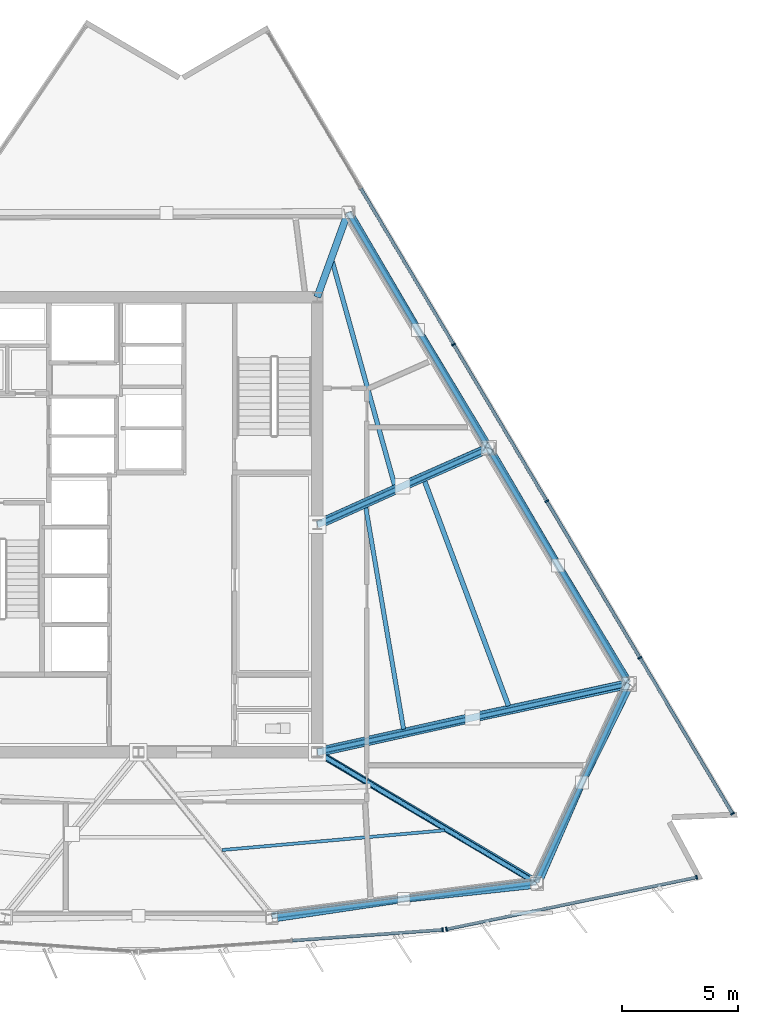
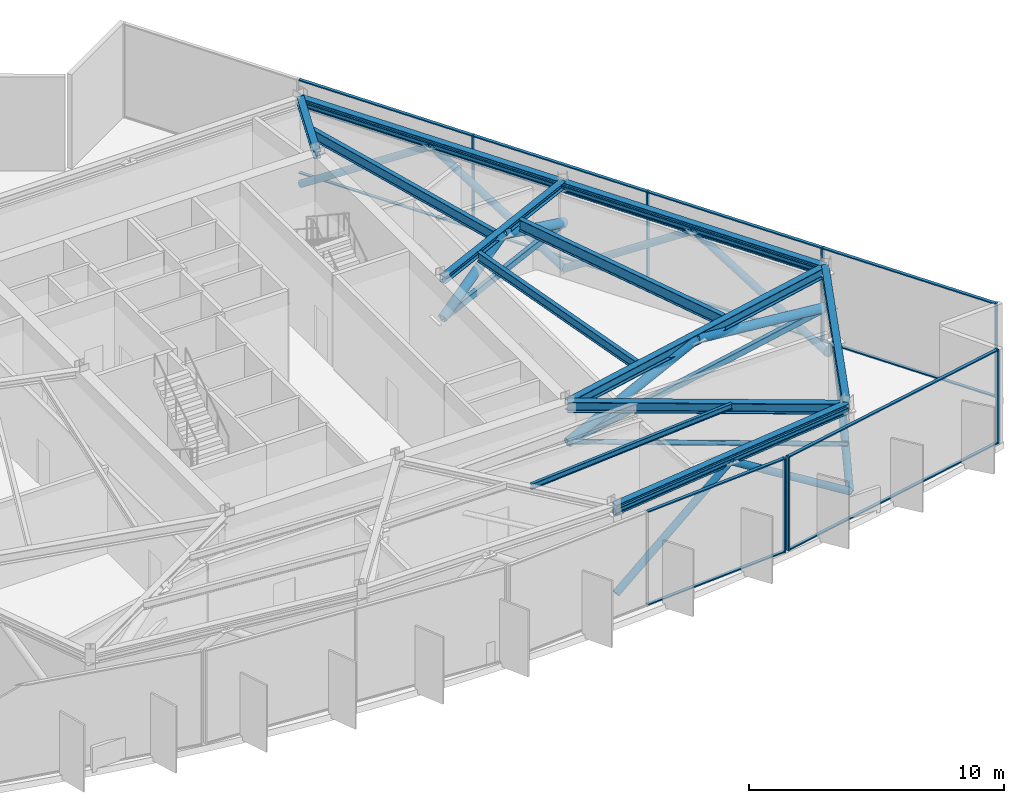
# One storey, part 5 of 14: 38 members, 12 beams, 3 elements without a shape of their own.
"""IFC4 building model written with IfcOpenShell, lengths in metres."""

from ifc_helpers import new_model, si_unit, direction, frame, origin, origin_2d, place, context, subcontext, project, spatial, rectangle, hollow_rectangle, hollow_circle, i_section, extrude, material, material_profile, profile_set, type_object, element, aggregate, save


model = new_model("IFC4")

# Units and contexts
model_context = context("Model", 3, precision=1e-05, world=origin(), true_north=direction((0.0, 1.0)))
body_context = subcontext(model_context, "Body", "Model", "MODEL_VIEW")
ifc_project = project(units=[si_unit("LENGTHUNIT", "METRE"), si_unit("AREAUNIT", "SQUARE_METRE"), si_unit("VOLUMEUNIT", "CUBIC_METRE"), si_unit("PLANEANGLEUNIT", "RADIAN"), si_unit("MASSUNIT", "GRAM", prefix="KILO")], contexts=[model_context])

# Site, building, storey
site_placement = place(None, origin())
site = spatial("IfcSite", under=ifc_project, at=site_placement, CompositionType="ELEMENT")
building_placement = place(site_placement, origin())
building = spatial("IfcBuilding", under=site, at=building_placement, Name="Savorim Split Tower", CompositionType="ELEMENT")
storey_placement = place(building_placement, frame((0.0, 0.0, 185.39990234375)))
storey = spatial("IfcBuildingStorey", under=building, at=storey_placement, Name="L49", CompositionType="ELEMENT", Elevation=185.39990234375)

# Beams
ifc_material_1 = material(Name="Steel S355", Category="steel")
ifc_material_profile_1 = material_profile(ifc_material_1, i_section(OverallWidth=0.135009765625, OverallDepth=0.27001953125, WebThickness=0.006591796875, FlangeThickness=0.01025390625, FilletRadius=0.014892578125, at=origin_2d()), Name="IPE 270")
ifc_profile_set_1 = profile_set([ifc_material_profile_1], Name="Steel S355")
beam_type_1 = type_object("IfcBeamType", Name="BM-JST-IPE270", PredefinedType="JOIST", material=ifc_profile_set_1)
beam_1_placement = place(storey_placement, frame((3.601318359375, -13.61083984375, 4.364990234375), z_axis=(0.996108988912, 0.088129916655, 0.0), x_axis=(-0.088129916655, 0.996108988912, 0.0)))
element("IfcBeam", 1, at=beam_1_placement, inside=storey, type_object=beam_type_1, Name="L49 Secondary Floor Joist JS-04", PredefinedType="JOIST", context=body_context, shape_type="SweptSolid", body=[
    extrude(i_section(OverallWidth=0.135009765625, OverallDepth=0.27001953125, WebThickness=0.006591796875, FlangeThickness=0.01025390625, FilletRadius=0.014892578125, at=origin_2d()), origin(), (0.0, 0.0, 1.0), 9.62646484375),
])
ifc_material_profile_2 = material_profile(ifc_material_1, i_section(OverallWidth=0.18994140625, OverallDepth=0.449951171875, WebThickness=0.009521484375, FlangeThickness=0.0146484375, FilletRadius=0.02099609375, at=origin_2d()), Name="IPE 450")
ifc_profile_set_2 = profile_set([ifc_material_profile_2], Name="Steel S355")
beam_type_2 = type_object("IfcBeamType", Name="BM-JST-IPE450", PredefinedType="JOIST", material=ifc_profile_set_2)
beam_2_placement = place(storey_placement, frame((11.418701171875, -8.40771484375, 4.275146484375), z_axis=(-0.168101730187, 0.985769652763, 0.0), x_axis=(-0.985769652763, -0.168101730187, 0.0)))
element("IfcBeam", 2, at=beam_2_placement, inside=storey, type_object=beam_type_2, Name="L49 Secondary Floor Joist JS-08", PredefinedType="JOIST", context=body_context, shape_type="SweptSolid", body=[
    extrude(i_section(OverallWidth=0.18994140625, OverallDepth=0.449951171875, WebThickness=0.009521484375, FlangeThickness=0.0146484375, FilletRadius=0.02099609375, at=origin_2d()), origin(), (0.0, 0.0, 1.0), 9.716064453125),
])
ifc_material_profile_3 = material_profile(ifc_material_1, i_section(OverallWidth=0.199951171875, OverallDepth=0.5, WebThickness=0.01025390625, FlangeThickness=0.01611328125, FilletRadius=0.02099609375, at=origin_2d()), Name="IPE 500")
ifc_profile_set_3 = profile_set([ifc_material_profile_3], Name="Steel S355")
beam_type_3 = type_object("IfcBeamType", Name="BM-JST-IPE500", PredefinedType="JOIST", material=ifc_profile_set_3)
beam_3_placement = place(storey_placement, frame((11.038818359375, 2.07861328125, 4.25), z_axis=(-0.268280182516, 0.963340928057, 0.0), x_axis=(-0.963340928057, -0.268280182516, 0.0)))
element("IfcBeam", 3, at=beam_3_placement, inside=storey, type_object=beam_type_3, Name="L49 Secondary Floor Joist JS-07", PredefinedType="JOIST", context=body_context, shape_type="SweptSolid", body=[
    extrude(i_section(OverallWidth=0.199951171875, OverallDepth=0.5, WebThickness=0.01025390625, FlangeThickness=0.01611328125, FilletRadius=0.02099609375, at=origin_2d()), origin(), (0.0, 0.0, 1.0), 10.011962890625),
])
ifc_material_profile_4 = material_profile(ifc_material_1, i_section(OverallWidth=0.2099609375, OverallDepth=0.550048828125, WebThickness=0.010986328125, FlangeThickness=0.01708984375, FilletRadius=0.02392578125, at=origin_2d()), Name="IPE 550")
ifc_profile_set_4 = profile_set([ifc_material_profile_4], Name="Steel S355")
beam_type_4 = type_object("IfcBeamType", Name="BM-JST-IPE550", PredefinedType="JOIST", material=ifc_profile_set_4)
beam_4_placement = place(storey_placement, frame((15.93798828125, -7.40234375, 4.22509765625), z_axis=(-0.349738999976, 0.936847176382, 0.0), x_axis=(-0.936847176382, -0.349738999976, 0.0)))
element("IfcBeam", 4, at=beam_4_placement, inside=storey, type_object=beam_type_4, Name="L49 Secondary Floor Joist JS-06", PredefinedType="JOIST", context=body_context, shape_type="SweptSolid", body=[
    extrude(i_section(OverallWidth=0.2099609375, OverallDepth=0.550048828125, WebThickness=0.010986328125, FlangeThickness=0.01708984375, FilletRadius=0.02392578125, at=origin_2d()), origin(), (0.0, 0.0, 1.0), 10.361328125),
])
ifc_material_profile_5 = material_profile(ifc_material_1, i_section(OverallWidth=0.300048828125, OverallDepth=0.320068359375, WebThickness=0.011474609375, FlangeThickness=0.0205078125, FilletRadius=0.027099609375, at=origin_2d()), Name="HEB 320")
ifc_profile_set_5 = profile_set([ifc_material_profile_5], Name="Steel S355")
beam_type_5 = type_object("IfcBeamType", Name="BM-PRI-HEB320", PredefinedType="BEAM", material=ifc_profile_set_5)
beam_5_placement = place(storey_placement, frame((15.0517578125, 3.7138671875, 4.340087890625), z_axis=(-0.911659043954, -0.41094742678, 0.0), x_axis=(0.41094742678, -0.911659043954, 0.0)))
element("IfcBeam", 5, at=beam_5_placement, inside=storey, type_object=beam_type_5, Name="L49 Primary Floor Girder RG-06", PredefinedType="BEAM", context=body_context, shape_type="SweptSolid", body=[
    extrude(i_section(OverallWidth=0.300048828125, OverallDepth=0.320068359375, WebThickness=0.011474609375, FlangeThickness=0.0205078125, FilletRadius=0.027099609375, at=origin_2d()), origin(), (0.0, 0.0, 1.0), 8.064208984375),
])
beam_6_placement = place(storey_placement, frame((9.02587890625, 13.847412109375, 4.340087890625), z_axis=(-0.341647093923, -0.939828315818, 0.0), x_axis=(0.939828315818, -0.341647093923, 0.0)))
element("IfcBeam", 6, at=beam_6_placement, inside=storey, type_object=beam_type_5, Name="L49 Primary Floor Girder RG-07", PredefinedType="BEAM", context=body_context, shape_type="SweptSolid", body=[
    extrude(i_section(OverallWidth=0.300048828125, OverallDepth=0.320068359375, WebThickness=0.011474609375, FlangeThickness=0.0205078125, FilletRadius=0.027099609375, at=origin_2d()), origin(), (0.0, 0.0, 1.0), 3.881103515625),
])
ifc_material_profile_6 = material_profile(ifc_material_1, i_section(OverallWidth=0.300048828125, OverallDepth=0.5, WebThickness=0.014404296875, FlangeThickness=0.028076171875, FilletRadius=0.027099609375, at=origin_2d()), Name="HEB 500")
ifc_profile_set_6 = profile_set([ifc_material_profile_6], Name="Steel S355")
beam_type_6 = type_object("IfcBeamType", Name="BM-PRI-HEB500", PredefinedType="BEAM", material=ifc_profile_set_6)
beam_7_placement = place(storey_placement, frame((17.1162109375, -14.980712890625, 4.25), z_axis=(-0.860259286737, 0.509856803016, 0.0), x_axis=(-0.509856803016, -0.860259286737, 0.0)))
element("IfcBeam", 7, at=beam_7_placement, inside=storey, type_object=beam_type_6, Name="L49 Primary Floor Girder RG-04", PredefinedType="BEAM", context=body_context, shape_type="SweptSolid", body=[
    extrude(i_section(OverallWidth=0.300048828125, OverallDepth=0.5, WebThickness=0.014404296875, FlangeThickness=0.028076171875, FilletRadius=0.027099609375, at=origin_2d()), origin(), (0.0, 0.0, 1.0), 10.94580078125),
])
beam_8_placement = place(storey_placement, frame((21.077392578125, -6.419677734375, 4.25), z_axis=(-0.97607165871, -0.217449113733, 0.0), x_axis=(0.217449113733, -0.97607165871, 0.0)))
element("IfcBeam", 8, at=beam_8_placement, inside=storey, type_object=beam_type_6, Name="L49 Primary Floor Girder RG-05", PredefinedType="BEAM", context=body_context, shape_type="SweptSolid", body=[
    extrude(i_section(OverallWidth=0.300048828125, OverallDepth=0.5, WebThickness=0.014404296875, FlangeThickness=0.028076171875, FilletRadius=0.027099609375, at=origin_2d()), origin(), (0.0, 0.0, 1.0), 13.705322265625),
])
ifc_material_profile_7 = material_profile(ifc_material_1, i_section(OverallWidth=0.300048828125, OverallDepth=0.389892578125, WebThickness=0.010986328125, FlangeThickness=0.01904296875, FilletRadius=0.027099609375, at=origin_2d()), Name="HEA 400")
ifc_profile_set_7 = profile_set([ifc_material_profile_7], Name="Steel S355")
beam_type_7 = type_object("IfcBeamType", Name="BM-SPN-HEA400", PredefinedType="SPANDREL", material=ifc_profile_set_7)
beam_9_placement = place(storey_placement, frame((5.736572265625, -16.441650390625, 4.30517578125), z_axis=(0.991859558111, 0.127336628601, 0.0), x_axis=(-0.127336628601, 0.991859558111, 0.0)))
element("IfcBeam", 9, at=beam_9_placement, inside=storey, type_object=beam_type_7, Name="L49 Perimeter Spandrel Beam 3", PredefinedType="SPANDREL", context=body_context, shape_type="SweptSolid", body=[
    extrude(i_section(OverallWidth=0.300048828125, OverallDepth=0.389892578125, WebThickness=0.010986328125, FlangeThickness=0.01904296875, FilletRadius=0.027099609375, at=origin_2d()), origin(), (0.0, 0.0, 1.0), 11.47314453125),
])
beam_10_placement = place(storey_placement, frame((17.1162109375, -14.980712890625, 4.30517578125), z_axis=(0.419926213181, 0.907558249086, 0.0), x_axis=(-0.907558249086, 0.419926213181, 0.0)))
element("IfcBeam", 10, at=beam_10_placement, inside=storey, type_object=beam_type_7, Name="L49 Perimeter Spandrel Beam 4", PredefinedType="SPANDREL", context=body_context, shape_type="SweptSolid", body=[
    extrude(i_section(OverallWidth=0.300048828125, OverallDepth=0.389892578125, WebThickness=0.010986328125, FlangeThickness=0.01904296875, FilletRadius=0.027099609375, at=origin_2d()), origin(), (0.0, 0.0, 1.0), 9.43310546875),
])
for number, where, z_axis, x_axis, name in (
    (11, (21.077392578125, -6.419677734375, 4.30517578125), (-0.511093172781, 0.859525315937, 0.0), (-0.859525315937, -0.511093172781, 0.0), "L49 Perimeter Spandrel Beam 5"),
    (12, (15.0517578125, 3.7138671875, 4.30517578125), (-0.511108471244, 0.859516218941, 0.0), (-0.859516218941, -0.511108471244, 0.0), "L49 Perimeter Spandrel Beam 6"),
):
    element("IfcBeam", number, at=place(storey_placement, frame(where, z_axis=z_axis, x_axis=x_axis)), inside=storey, type_object=beam_type_7, Name=name, PredefinedType="SPANDREL", context=body_context, shape_type="SweptSolid", body=[
        extrude(i_section(OverallWidth=0.300048828125, OverallDepth=0.389892578125, WebThickness=0.010986328125, FlangeThickness=0.01904296875, FilletRadius=0.027099609375, at=origin_2d()), origin(), (0.0, 0.0, 1.0), 11.789794921875),
    ])

# Curtain wall, member
ifc_material_2 = material(Name="Dark Ceramic-Fritted Insulated Glass", Category="glass")
curtain_wall_type = type_object("IfcCurtainWallType", Name="CW-REFUGE-LVR", PredefinedType="NOTDEFINED", material=ifc_material_2)
curtain_wall_1_placement = place(storey_placement, origin())
curtain_wall_1 = element("IfcCurtainWall", 13, at=curtain_wall_1_placement, inside=storey, type_object=curtain_wall_type, Name="L49 Curtain Wall CW-L49-SF3", PredefinedType="NOTDEFINED")
ifc_material_3 = material(Name="Charcoal Anodised Aluminium", Category="aluminium")
ifc_material_profile_8 = material_profile(ifc_material_3, rectangle(XDim=0.179931640625, YDim=0.06494140625, at=origin_2d()), Name="ALU-M 180x65")
ifc_profile_set_8 = profile_set([ifc_material_profile_8], Name="Charcoal Anodised Aluminium")
member_type_1 = type_object("IfcMemberType", Name="CWM-180x65", PredefinedType="MULLION", material=ifc_profile_set_8)
member_1_placement = place(storey_placement, frame((13.099853515625, -17.042236328125, 0.0), z_axis=(0.0, 0.0, 1.0), x_axis=(-0.071561883187, 0.997436161804, 0.0)))
member_1 = element("IfcMember", 14, at=member_1_placement, type_object=member_type_1, Name="CW-06 mullion 3", PredefinedType="MULLION", context=body_context, shape_type="SweptSolid", body=[
    extrude(rectangle(XDim=0.179931640625, YDim=0.06494140625, at=origin_2d()), origin(), (0.0, 0.0, 1.0), 4.5),
])

# Curtain wall, members
curtain_wall_2_placement = place(storey_placement, origin())
curtain_wall_2 = element("IfcCurtainWall", 15, at=curtain_wall_2_placement, inside=storey, type_object=curtain_wall_type, Name="L49 Curtain Wall CW-L49-SF4", PredefinedType="NOTDEFINED")
member_2_placement = place(storey_placement, frame((13.266845703125, -17.01904296875, 0.0), z_axis=(0.0, 0.0, 1.0), x_axis=(-0.203207957161, 0.979135601511, 0.0)))
member_2 = element("IfcMember", 16, at=member_2_placement, type_object=member_type_1, Name="CW-06 mullion 1", PredefinedType="MULLION", context=body_context, shape_type="SweptSolid", body=[
    extrude(rectangle(XDim=0.179931640625, YDim=0.06494140625, at=origin_2d()), origin(), (0.0, 0.0, 1.0), 4.5),
])
member_3_placement = place(storey_placement, frame((24.038818359375, -14.783447265625, 0.0), z_axis=(0.0, 0.0, 1.0), x_axis=(-0.203207957161, 0.979135601511, 0.0)))
member_3 = element("IfcMember", 17, at=member_3_placement, type_object=member_type_1, Name="CW-06 mullion 2", PredefinedType="MULLION", context=body_context, shape_type="SweptSolid", body=[
    extrude(rectangle(XDim=0.179931640625, YDim=0.06494140625, at=origin_2d()), origin(), (0.0, 0.0, 1.0), 4.5),
])

curtain_wall_3_placement = place(storey_placement, origin())
curtain_wall_3 = element("IfcCurtainWall", 18, at=curtain_wall_3_placement, inside=storey, type_object=curtain_wall_type, Name="L49 Curtain Wall CW-L49-EAST", PredefinedType="NOTDEFINED")
member_4_placement = place(storey_placement, frame((25.584716796875, -12.045166015625, 0.0), z_axis=(0.0, 0.0, 1.0), x_axis=(-0.859525931116, -0.511092138209, 0.0)))
member_4 = element("IfcMember", 19, at=member_4_placement, type_object=member_type_1, Name="CW-06 mullion 1", PredefinedType="MULLION", context=body_context, shape_type="SweptSolid", body=[
    extrude(rectangle(XDim=0.179931640625, YDim=0.06494140625, at=origin_2d()), origin(), (0.0, 0.0, 1.0), 4.5),
])
member_5_placement = place(storey_placement, frame((21.59130859375, -5.3291015625, 0.0), z_axis=(0.0, 0.0, 1.0), x_axis=(-0.859525931116, -0.511092138209, 0.0)))
member_5 = element("IfcMember", 20, at=member_5_placement, type_object=member_type_1, Name="CW-06 mullion 2", PredefinedType="MULLION", context=body_context, shape_type="SweptSolid", body=[
    extrude(rectangle(XDim=0.179931640625, YDim=0.06494140625, at=origin_2d()), origin(), (0.0, 0.0, 1.0), 4.5),
])
member_6_placement = place(storey_placement, frame((17.581298828125, 1.414794921875, 0.0), z_axis=(0.0, 0.0, 1.0), x_axis=(-0.859525931116, -0.511092138209, 0.0)))
member_6 = element("IfcMember", 21, at=member_6_placement, type_object=member_type_1, Name="CW-06 mullion 3", PredefinedType="MULLION", context=body_context, shape_type="SweptSolid", body=[
    extrude(rectangle(XDim=0.179931640625, YDim=0.06494140625, at=origin_2d()), origin(), (0.0, 0.0, 1.0), 4.5),
])
member_7_placement = place(storey_placement, frame((13.571044921875, 8.15869140625, 0.0), z_axis=(0.0, 0.0, 1.0), x_axis=(-0.859525931116, -0.511092138209, 0.0)))
member_7 = element("IfcMember", 22, at=member_7_placement, type_object=member_type_1, Name="CW-06 mullion 4", PredefinedType="MULLION", context=body_context, shape_type="SweptSolid", body=[
    extrude(rectangle(XDim=0.179931640625, YDim=0.06494140625, at=origin_2d()), origin(), (0.0, 0.0, 1.0), 4.5),
])

# Member
ifc_material_profile_9 = material_profile(ifc_material_3, rectangle(XDim=0.139892578125, YDim=0.054931640625, at=origin_2d()), Name="ALU-T 140x55")
ifc_profile_set_9 = profile_set([ifc_material_profile_9], Name="Charcoal Anodised Aluminium")
member_type_2 = type_object("IfcMemberType", Name="CWT-140x55", PredefinedType="USERDEFINED", material=ifc_profile_set_9)
member_8_placement = place(storey_placement, frame((6.624267578125, -17.5068359375, 0.027587890625), z_axis=(0.997434662045, 0.0715827839, 0.0), x_axis=(-0.0715827839, 0.997434662045, 0.0)))
member_8 = element("IfcMember", 23, at=member_8_placement, type_object=member_type_2, Name="CW-06 transom 2.1", ObjectType="TRANSOM", PredefinedType="USERDEFINED", context=body_context, shape_type="SweptSolid", body=[
    extrude(rectangle(XDim=0.139892578125, YDim=0.054931640625, at=origin_2d()), origin(), (0.0, 0.0, 1.0), 6.459716796875),
])

member_9_placement = place(storey_placement, frame((6.624267578125, -17.5068359375, 4.47265625), z_axis=(0.997434662045, 0.0715827839, 0.0), x_axis=(-0.0715827839, 0.997434662045, 0.0)))
member_9 = element("IfcMember", 24, at=member_9_placement, type_object=member_type_2, Name="CW-06 transom 2.2", ObjectType="TRANSOM", PredefinedType="USERDEFINED", context=body_context, shape_type="SweptSolid", body=[
    extrude(rectangle(XDim=0.139892578125, YDim=0.054931640625, at=origin_2d()), origin(), (0.0, 0.0, 1.0), 6.459716796875),
])

aggregate(curtain_wall_1, [member_1, member_8, member_9])

member_10_placement = place(storey_placement, frame((13.298583984375, -17.012451171875, 0.027587890625), z_axis=(0.979134843159, 0.203211611164, 0.0), x_axis=(-0.203211611164, 0.979134843159, 0.0)))
member_10 = element("IfcMember", 25, at=member_10_placement, type_object=member_type_2, Name="CW-06 transom 1.1", ObjectType="TRANSOM", PredefinedType="USERDEFINED", context=body_context, shape_type="SweptSolid", body=[
    extrude(rectangle(XDim=0.139892578125, YDim=0.054931640625, at=origin_2d()), origin(), (0.0, 0.0, 1.0), 10.9365234375),
])

member_11_placement = place(storey_placement, frame((13.298583984375, -17.012451171875, 4.47265625), z_axis=(0.979134843159, 0.203211611164, 0.0), x_axis=(-0.203211611164, 0.979134843159, 0.0)))
member_11 = element("IfcMember", 26, at=member_11_placement, type_object=member_type_2, Name="CW-06 transom 1.2", ObjectType="TRANSOM", PredefinedType="USERDEFINED", context=body_context, shape_type="SweptSolid", body=[
    extrude(rectangle(XDim=0.139892578125, YDim=0.054931640625, at=origin_2d()), origin(), (0.0, 0.0, 1.0), 10.9365234375),
])

aggregate(curtain_wall_2, [member_2, member_3, member_10, member_11])

member_12_placement = place(storey_placement, frame((25.568115234375, -12.017333984375, 0.027587890625), z_axis=(-0.511086088105, 0.859529528606, 0.0), x_axis=(-0.859529528606, -0.511086088105, 0.0)))
member_12 = element("IfcMember", 27, at=member_12_placement, type_object=member_type_2, Name="CW-06 transom 1.1", ObjectType="TRANSOM", PredefinedType="USERDEFINED", context=body_context, shape_type="SweptSolid", body=[
    extrude(rectangle(XDim=0.139892578125, YDim=0.054931640625, at=origin_2d()), origin(), (0.0, 0.0, 1.0), 7.74853515625),
])

member_13_placement = place(storey_placement, frame((25.568115234375, -12.017333984375, 4.47265625), z_axis=(-0.511086088105, 0.859529528606, 0.0), x_axis=(-0.859529528606, -0.511086088105, 0.0)))
member_13 = element("IfcMember", 28, at=member_13_placement, type_object=member_type_2, Name="CW-06 transom 1.2", ObjectType="TRANSOM", PredefinedType="USERDEFINED", context=body_context, shape_type="SweptSolid", body=[
    extrude(rectangle(XDim=0.139892578125, YDim=0.054931640625, at=origin_2d()), origin(), (0.0, 0.0, 1.0), 7.74853515625),
])

member_14_placement = place(storey_placement, frame((21.57470703125, -5.30126953125, 0.027587890625), z_axis=(-0.511077272365, 0.859534770485, 0.0), x_axis=(-0.859534770485, -0.511077272365, 0.0)))
member_14 = element("IfcMember", 29, at=member_14_placement, type_object=member_type_2, Name="CW-06 transom 2.1", ObjectType="TRANSOM", PredefinedType="USERDEFINED", context=body_context, shape_type="SweptSolid", body=[
    extrude(rectangle(XDim=0.139892578125, YDim=0.054931640625, at=origin_2d()), origin(), (0.0, 0.0, 1.0), 7.78125),
])

member_15_placement = place(storey_placement, frame((21.57470703125, -5.30126953125, 4.47265625), z_axis=(-0.511077272365, 0.859534770485, 0.0), x_axis=(-0.859534770485, -0.511077272365, 0.0)))
member_15 = element("IfcMember", 30, at=member_15_placement, type_object=member_type_2, Name="CW-06 transom 2.2", ObjectType="TRANSOM", PredefinedType="USERDEFINED", context=body_context, shape_type="SweptSolid", body=[
    extrude(rectangle(XDim=0.139892578125, YDim=0.054931640625, at=origin_2d()), origin(), (0.0, 0.0, 1.0), 7.78125),
])

member_16_placement = place(storey_placement, frame((17.564697265625, 1.44287109375, 0.027587890625), z_axis=(-0.511114235545, 0.859512791192, 0.0), x_axis=(-0.859512791192, -0.511114235545, 0.0)))
member_16 = element("IfcMember", 31, at=member_16_placement, type_object=member_type_2, Name="CW-06 transom 3.1", ObjectType="TRANSOM", PredefinedType="USERDEFINED", context=body_context, shape_type="SweptSolid", body=[
    extrude(rectangle(XDim=0.139892578125, YDim=0.054931640625, at=origin_2d()), origin(), (0.0, 0.0, 1.0), 7.78125),
])

member_17_placement = place(storey_placement, frame((17.564697265625, 1.44287109375, 4.47265625), z_axis=(-0.511114235545, 0.859512791192, 0.0), x_axis=(-0.859512791192, -0.511114235545, 0.0)))
member_17 = element("IfcMember", 32, at=member_17_placement, type_object=member_type_2, Name="CW-06 transom 3.2", ObjectType="TRANSOM", PredefinedType="USERDEFINED", context=body_context, shape_type="SweptSolid", body=[
    extrude(rectangle(XDim=0.139892578125, YDim=0.054931640625, at=origin_2d()), origin(), (0.0, 0.0, 1.0), 7.78125),
])

member_18_placement = place(storey_placement, frame((13.554443359375, 8.186767578125, 0.027587890625), z_axis=(-0.51109105562, 0.859526574845, 0.0), x_axis=(-0.859526574845, -0.51109105562, 0.0)))
member_18 = element("IfcMember", 33, at=member_18_placement, type_object=member_type_2, Name="CW-06 transom 4.1", ObjectType="TRANSOM", PredefinedType="USERDEFINED", context=body_context, shape_type="SweptSolid", body=[
    extrude(rectangle(XDim=0.139892578125, YDim=0.054931640625, at=origin_2d()), origin(), (0.0, 0.0, 1.0), 7.781005859375),
])

member_19_placement = place(storey_placement, frame((13.554443359375, 8.186767578125, 4.47265625), z_axis=(-0.51109105562, 0.859526574845, 0.0), x_axis=(-0.859526574845, -0.51109105562, 0.0)))
member_19 = element("IfcMember", 34, at=member_19_placement, type_object=member_type_2, Name="CW-06 transom 4.2", ObjectType="TRANSOM", PredefinedType="USERDEFINED", context=body_context, shape_type="SweptSolid", body=[
    extrude(rectangle(XDim=0.139892578125, YDim=0.054931640625, at=origin_2d()), origin(), (0.0, 0.0, 1.0), 7.781005859375),
])

aggregate(curtain_wall_3, [member_4, member_5, member_6, member_7, member_12, member_13, member_14, member_15, member_16, member_17, member_18, member_19])

# Members
ifc_material_profile_10 = material_profile(ifc_material_1, hollow_circle(Radius=0.109619140625, WallThickness=0.012451171875, at=origin_2d()), Name="CHS 219.1x12.5")
ifc_profile_set_10 = profile_set([ifc_material_profile_10], Name="Steel S355")
member_type_3 = type_object("IfcMemberType", Name="MBR-BAY-CHS219", PredefinedType="BRACE", material=ifc_profile_set_10)
member_20_placement = place(storey_placement, frame((7.699951171875, -9.39990234375, 2.52001953125), z_axis=(0.858815224336, -0.512285477491, 0.0), x_axis=(0.512285477491, 0.858815224336, 0.0)))
element("IfcMember", 35, at=member_20_placement, inside=storey, type_object=member_type_3, Name="L49 Secondary Belt Tie Strut 2", PredefinedType="BRACE", context=body_context, shape_type="SweptSolid", body=[
    extrude(hollow_circle(Radius=0.109619140625, WallThickness=0.012451171875, at=origin_2d()), origin(), (0.0, 0.0, 1.0), 11.00537109375),
])
ifc_material_4 = material(Name="Steel S460", Category="steel")
ifc_material_profile_11 = material_profile(ifc_material_4, hollow_circle(Radius=0.161865234375, WallThickness=0.01611328125, at=origin_2d()), Name="CHS 323.9x16")
ifc_profile_set_11 = profile_set([ifc_material_profile_11], Name="Steel S460")
member_type_4 = type_object("IfcMemberType", Name="MBR-BLT-CHS324", PredefinedType="BRACE", material=ifc_profile_set_11)
member_21_placement = place(storey_placement, frame((5.760009765625, -16.56103515625, 0.280029296875), z_axis=(0.820846604342, 0.123109307614, 0.557723005191), x_axis=(-0.148319617525, 0.988939477955, 0.0)))
element("IfcMember", 36, at=member_21_placement, inside=storey, type_object=member_type_4, Name="L49 Perimeter Belt Truss Brace 3A", PredefinedType="BRACE", context=body_context, shape_type="SweptSolid", body=[
    extrude(hollow_circle(Radius=0.161865234375, WallThickness=0.01611328125, at=origin_2d()), origin(), (0.0, 0.0, 1.0), 6.9033203125),
])
member_22_placement = place(storey_placement, frame((17.18603515625, -15.093994140625, 0.280029296875), z_axis=(-0.828076113599, -0.088736230562, 0.553548400299), x_axis=(0.106549493739, -0.994307399844, 0.0)))
element("IfcMember", 37, at=member_22_placement, inside=storey, type_object=member_type_4, Name="L49 Perimeter Belt Truss Brace 3B", PredefinedType="BRACE", context=body_context, shape_type="SweptSolid", body=[
    extrude(hollow_circle(Radius=0.161865234375, WallThickness=0.01611328125, at=origin_2d()), origin(), (0.0, 0.0, 1.0), 6.955322265625),
])
member_23_placement = place(storey_placement, frame((17.18603515625, -15.093994140625, 0.280029296875), z_axis=(0.310851553453, 0.714847355927, 0.626390109628), x_axis=(-0.917047371845, 0.398778281495, 0.0)))
element("IfcMember", 38, at=member_23_placement, inside=storey, type_object=member_type_4, Name="L49 Perimeter Belt Truss Brace 4A", PredefinedType="BRACE", context=body_context, shape_type="SweptSolid", body=[
    extrude(hollow_circle(Radius=0.161865234375, WallThickness=0.01611328125, at=origin_2d()), origin(), (0.0, 0.0, 1.0), 6.146484375),
])
member_24_placement = place(storey_placement, frame((21.16552734375, -6.492919921875, 0.280029296875), z_axis=(-0.341018360974, -0.693505949336, 0.634630582082), x_axis=(0.897375657449, -0.441267412594, 0.0)))
element("IfcMember", 39, at=member_24_placement, inside=storey, type_object=member_type_4, Name="L49 Perimeter Belt Truss Brace 4B", PredefinedType="BRACE", context=body_context, shape_type="SweptSolid", body=[
    extrude(hollow_circle(Radius=0.161865234375, WallThickness=0.01611328125, at=origin_2d()), origin(), (0.0, 0.0, 1.0), 6.066650390625),
])
member_25_placement = place(storey_placement, frame((21.16552734375, -6.492919921875, 0.280029296875), z_axis=(-0.434830561085, 0.720746546457, 0.539858128509), x_axis=(-0.856241627455, -0.516575527308, 0.0)))
element("IfcMember", 40, at=member_25_placement, inside=storey, type_object=member_type_4, Name="L49 Perimeter Belt Truss Brace 5A", PredefinedType="BRACE", context=body_context, shape_type="SweptSolid", body=[
    extrude(hollow_circle(Radius=0.161865234375, WallThickness=0.01611328125, at=origin_2d()), origin(), (0.0, 0.0, 1.0), 7.131591796875),
])
member_26_placement = place(storey_placement, frame((15.115478515625, 3.681640625, 0.280029296875), z_axis=(0.421863080538, -0.720195263165, 0.550772479517), x_axis=(0.862865372915, 0.505433821805, 0.0)))
element("IfcMember", 41, at=member_26_placement, inside=storey, type_object=member_type_4, Name="L49 Perimeter Belt Truss Brace 5B", PredefinedType="BRACE", context=body_context, shape_type="SweptSolid", body=[
    extrude(hollow_circle(Radius=0.161865234375, WallThickness=0.01611328125, at=origin_2d()), origin(), (0.0, 0.0, 1.0), 6.990478515625),
])
member_27_placement = place(storey_placement, frame((15.115478515625, 3.681640625, 0.280029296875), z_axis=(-0.43384856682, 0.719041514569, 0.542913180348), x_axis=(-0.856217050144, -0.516616262851, 0.0)))
element("IfcMember", 42, at=member_27_placement, inside=storey, type_object=member_type_4, Name="L49 Perimeter Belt Truss Brace 6A", PredefinedType="BRACE", context=body_context, shape_type="SweptSolid", body=[
    extrude(hollow_circle(Radius=0.161865234375, WallThickness=0.01611328125, at=origin_2d()), origin(), (0.0, 0.0, 1.0), 7.091552734375),
])
member_28_placement = place(storey_placement, frame((9.065673828125, 13.856201171875, 0.280029296875), z_axis=(0.422913739847, -0.721953829667, 0.547655581983), x_axis=(0.862854657266, 0.505452114877, 0.0)))
element("IfcMember", 43, at=member_28_placement, inside=storey, type_object=member_type_4, Name="L49 Perimeter Belt Truss Brace 6B", PredefinedType="BRACE", context=body_context, shape_type="SweptSolid", body=[
    extrude(hollow_circle(Radius=0.161865234375, WallThickness=0.01611328125, at=origin_2d()), origin(), (0.0, 0.0, 1.0), 7.030029296875),
])
ifc_material_profile_12 = material_profile(ifc_material_1, hollow_rectangle(XDim=0.199951171875, YDim=0.300048828125, WallThickness=0.012451171875, InnerFilletRadius=0.012451171875, OuterFilletRadius=0.02490234375, at=origin_2d()), Name="RHS 300x200x12.5")
ifc_profile_set_12 = profile_set([ifc_material_profile_12], Name="Steel S355")
member_type_5 = type_object("IfcMemberType", Name="MBR-CHD-RHS300", PredefinedType="CHORD", material=ifc_profile_set_12)
member_29_placement = place(storey_placement, frame((5.739990234375, -16.45947265625, 4.130126953125), z_axis=(0.991858814278, 0.127342422382, 0.0), x_axis=(-0.127342422382, 0.991858814278, 0.0)))
element("IfcMember", 44, at=member_29_placement, inside=storey, type_object=member_type_5, Name="L49 Perimeter Belt Truss Chord 3", PredefinedType="CHORD", context=body_context, shape_type="SweptSolid", body=[
    extrude(hollow_rectangle(XDim=0.199951171875, YDim=0.300048828125, WallThickness=0.012451171875, InnerFilletRadius=0.012451171875, OuterFilletRadius=0.02490234375, at=origin_2d()), origin(), (0.0, 0.0, 1.0), 11.480224609375),
])
member_30_placement = place(storey_placement, frame((17.126708984375, -14.99755859375, 4.130126953125), z_axis=(0.419892821455, 0.907573698655, 0.0), x_axis=(-0.907573698655, 0.419892821455, 0.0)))
element("IfcMember", 45, at=member_30_placement, inside=storey, type_object=member_type_5, Name="L49 Perimeter Belt Truss Chord 4", PredefinedType="CHORD", context=body_context, shape_type="SweptSolid", body=[
    extrude(hollow_rectangle(XDim=0.199951171875, YDim=0.300048828125, WallThickness=0.012451171875, InnerFilletRadius=0.012451171875, OuterFilletRadius=0.02490234375, at=origin_2d()), origin(), (0.0, 0.0, 1.0), 9.439697265625),
])
member_31_placement = place(storey_placement, frame((21.09033203125, -6.430419921875, 4.130126953125), z_axis=(-0.511089030093, 0.859527779259, 0.0), x_axis=(-0.859527779259, -0.511089030093, 0.0)))
element("IfcMember", 46, at=member_31_placement, inside=storey, type_object=member_type_5, Name="L49 Perimeter Belt Truss Chord 5", PredefinedType="CHORD", context=body_context, shape_type="SweptSolid", body=[
    extrude(hollow_rectangle(XDim=0.199951171875, YDim=0.300048828125, WallThickness=0.012451171875, InnerFilletRadius=0.012451171875, OuterFilletRadius=0.02490234375, at=origin_2d()), origin(), (0.0, 0.0, 1.0), 11.79638671875),
])
member_32_placement = place(storey_placement, frame((15.061279296875, 3.708984375, 4.130126953125), z_axis=(-0.511086136865, 0.859529499612, 0.0), x_axis=(-0.859529499612, -0.511086136865, 0.0)))
element("IfcMember", 47, at=member_32_placement, inside=storey, type_object=member_type_5, Name="L49 Perimeter Belt Truss Chord 6", PredefinedType="CHORD", context=body_context, shape_type="SweptSolid", body=[
    extrude(hollow_rectangle(XDim=0.199951171875, YDim=0.300048828125, WallThickness=0.012451171875, InnerFilletRadius=0.012451171875, OuterFilletRadius=0.02490234375, at=origin_2d()), origin(), (0.0, 0.0, 1.0), 11.797119140625),
])
member_33_placement = place(storey_placement, frame((7.699951171875, -9.39990234375, 2.47998046875), z_axis=(0.976802206028, 0.214143527333, 0.0), x_axis=(-0.214143527333, 0.976802206028, 0.0)))
element("IfcMember", 48, at=member_33_placement, inside=storey, type_object=member_type_5, Name="L49 Outrigger Bottom Chord E1", PredefinedType="CHORD", context=body_context, shape_type="SweptSolid", body=[
    extrude(hollow_rectangle(XDim=0.199951171875, YDim=0.300048828125, WallThickness=0.012451171875, InnerFilletRadius=0.012451171875, OuterFilletRadius=0.02490234375, at=origin_2d()), origin(), (0.0, 0.0, 1.0), 13.741455078125),
])
member_34_placement = place(storey_placement, frame((7.699951171875, 0.39990234375, 2.47998046875), z_axis=(0.913094333085, 0.407748376929, 0.0), x_axis=(-0.407748376929, 0.913094333085, 0.0)))
element("IfcMember", 49, at=member_34_placement, inside=storey, type_object=member_type_5, Name="L49 Outrigger Bottom Chord E2", PredefinedType="CHORD", context=body_context, shape_type="SweptSolid", body=[
    extrude(hollow_rectangle(XDim=0.199951171875, YDim=0.300048828125, WallThickness=0.012451171875, InnerFilletRadius=0.012451171875, OuterFilletRadius=0.02490234375, at=origin_2d()), origin(), (0.0, 0.0, 1.0), 8.08740234375),
])
ifc_material_profile_13 = material_profile(ifc_material_4, hollow_circle(Radius=0.203125, WallThickness=0.02001953125, at=origin_2d()), Name="CHS 406.4x20")
ifc_profile_set_13 = profile_set([ifc_material_profile_13], Name="Steel S460")
member_type_6 = type_object("IfcMemberType", Name="MBR-OUT-CHS406", PredefinedType="BRACE", material=ifc_profile_set_13)
member_35_placement = place(storey_placement, frame((7.699951171875, -9.39990234375, 2.47998046875), z_axis=(0.946702723822, 0.210889028853, 0.243474372816), x_axis=(-0.217432142452, 0.976075439415, 0.0)))
element("IfcMember", 50, at=member_35_placement, inside=storey, type_object=member_type_6, Name="L49 Outrigger Truss Diagonal E1-A", PredefinedType="BRACE", context=body_context, shape_type="SweptSolid", body=[
    extrude(hollow_circle(Radius=0.203125, WallThickness=0.02001953125, at=origin_2d()), origin(), (0.0, 0.0, 1.0), 7.065185546875),
])
member_36_placement = place(storey_placement, frame((14.388671875, -7.909912109375, 4.2001953125), z_axis=(0.948392204249, 0.204587543154, -0.242272912448), x_axis=(-0.210869744969, 0.977514169031, 0.0)))
element("IfcMember", 51, at=member_36_placement, inside=storey, type_object=member_type_6, Name="L49 Outrigger Truss Diagonal E1-B", PredefinedType="BRACE", context=body_context, shape_type="SweptSolid", body=[
    extrude(hollow_circle(Radius=0.203125, WallThickness=0.02001953125, at=origin_2d()), origin(), (0.0, 0.0, 1.0), 7.100341796875),
])
member_37_placement = place(storey_placement, frame((7.699951171875, 0.39990234375, 2.47998046875), z_axis=(0.838527016264, 0.377994345071, 0.392419059285), x_axis=(-0.410958769257, 0.911653931035, 0.0)))
element("IfcMember", 52, at=member_37_placement, inside=storey, type_object=member_type_6, Name="L49 Outrigger Truss Diagonal E2-A", PredefinedType="BRACE", context=body_context, shape_type="SweptSolid", body=[
    extrude(hollow_circle(Radius=0.203125, WallThickness=0.02001953125, at=origin_2d()), origin(), (0.0, 0.0, 1.0), 4.383544921875),
])
member_38_placement = place(storey_placement, frame((11.375732421875, 2.056884765625, 4.2001953125), z_axis=(0.841905814653, 0.372431510399, -0.390498872362), x_axis=(-0.404551523567, 0.914515207517, 0.0)))
element("IfcMember", 53, at=member_38_placement, inside=storey, type_object=member_type_6, Name="L49 Outrigger Truss Diagonal E2-B", PredefinedType="BRACE", context=body_context, shape_type="SweptSolid", body=[
    extrude(hollow_circle(Radius=0.203125, WallThickness=0.02001953125, at=origin_2d()), origin(), (0.0, 0.0, 1.0), 4.4052734375),
])

save(model, "model.ifc")
